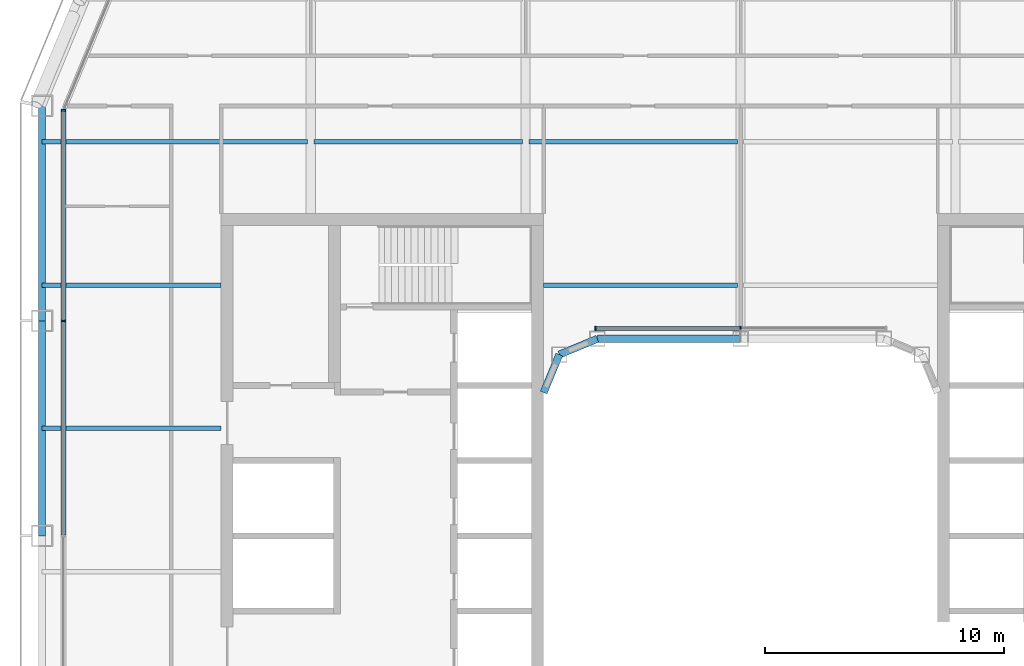
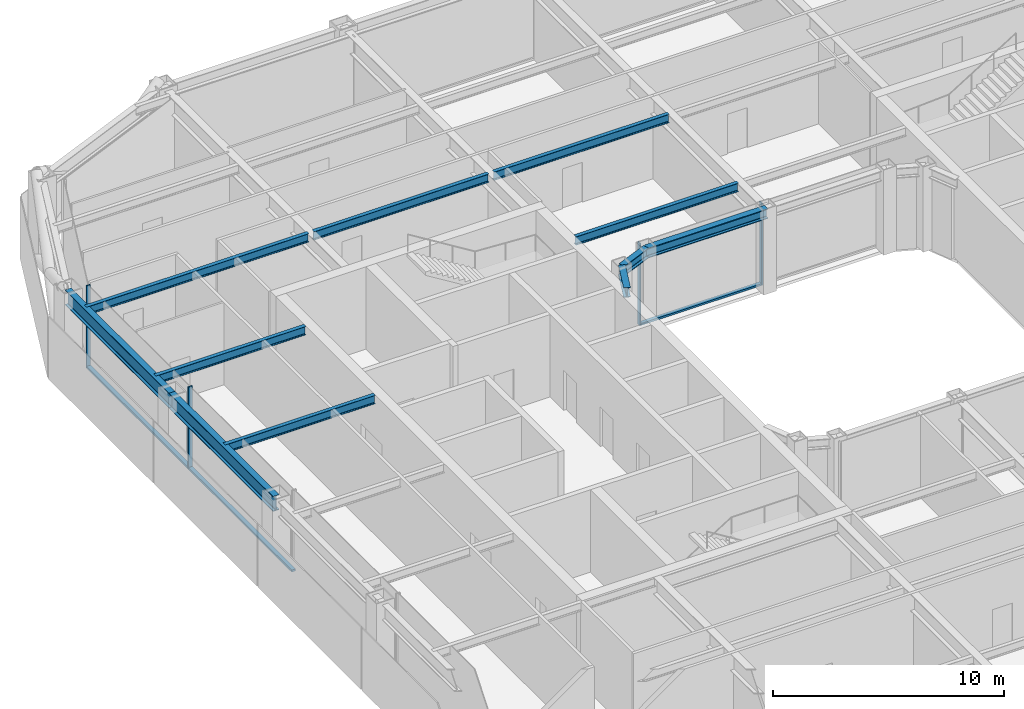
# One storey, part 6 of 23: 11 beams, 7 members, 2 elements without a shape of their own.
"""IFC4 building model written with IfcOpenShell, lengths in metres."""

from ifc_helpers import new_model, si_unit, direction, frame, origin, origin_2d, place, context, subcontext, project, spatial, rectangle, i_section, extrude, material, layer, layer_set, material_profile, profile_set, type_object, element, aggregate, save


model = new_model("IFC4")

# Units and contexts
model_context = context("Model", 3, precision=1e-05, world=origin(), true_north=direction((0.0, 1.0)))
body_context = subcontext(model_context, "Body", "Model", "MODEL_VIEW")
ifc_project = project(units=[si_unit("LENGTHUNIT", "METRE"), si_unit("AREAUNIT", "SQUARE_METRE"), si_unit("VOLUMEUNIT", "CUBIC_METRE"), si_unit("PLANEANGLEUNIT", "RADIAN"), si_unit("MASSUNIT", "GRAM", prefix="KILO")], contexts=[model_context])

# Site, building, storey
site_placement = place(None, origin())
site = spatial("IfcSite", under=ifc_project, at=site_placement, CompositionType="ELEMENT")
building_placement = place(site_placement, origin())
building = spatial("IfcBuilding", under=site, at=building_placement, Name="Siwar Civic Tower", CompositionType="ELEMENT")
storey_placement = place(building_placement, frame((0.0, 0.0, 163.199951171875)))
storey = spatial("IfcBuildingStorey", under=building, at=storey_placement, Name="L35", CompositionType="ELEMENT", Elevation=163.199951171875)

# Curtain wall, members
ifc_material_1 = material(Name="Aluminium and glass", Category="aluminium")
ifc_layer_1 = layer(ifc_material_1, 0.199951171875)
ifc_layer_set_1 = layer_set([ifc_layer_1], Name="Aluminium and glass")
curtain_wall_type_1 = type_object("IfcCurtainWallType", Name="ENV-CW-B", PredefinedType="NOTDEFINED", material=ifc_layer_set_1)
curtain_wall_1_placement = place(storey_placement, origin())
curtain_wall_1 = element("IfcCurtainWall", 1, at=curtain_wall_1_placement, inside=storey, type_object=curtain_wall_type_1, Name="Curtain wall B W", PredefinedType="NOTDEFINED")
ifc_material_2 = material(Name="Aluminium 6063-T6", Category="aluminium")
ifc_material_profile_1 = material_profile(ifc_material_2, rectangle(XDim=0.199951171875, YDim=0.06494140625, at=origin_2d()), Name="AL 200x65")
ifc_profile_set_1 = profile_set([ifc_material_profile_1], Name="Aluminium 6063-T6")
member_type_1 = type_object("IfcMemberType", Name="ENV-MULLION-B", PredefinedType="MULLION", material=ifc_profile_set_1)
member_1_placement = place(storey_placement, frame((-28.35009765625, 17.821044921875, 0.0), z_axis=(0.0, 0.0, 1.0), x_axis=(1.0, 0.0, 0.0)))
member_1 = element("IfcMember", 2, at=member_1_placement, type_object=member_type_1, Name="Mullion B W 1", PredefinedType="MULLION", context=body_context, shape_type="SweptSolid", body=[
    extrude(rectangle(XDim=0.199951171875, YDim=0.06494140625, at=origin_2d()), origin(), (0.0, 0.0, 1.0), 4.35009765625),
])
member_2_placement = place(storey_placement, frame((-28.35009765625, 9.0, 0.0), z_axis=(0.0, 0.0, 1.0), x_axis=(1.0, 0.0, 0.0)))
member_2 = element("IfcMember", 3, at=member_2_placement, type_object=member_type_1, Name="Mullion B W 2", PredefinedType="MULLION", context=body_context, shape_type="SweptSolid", body=[
    extrude(rectangle(XDim=0.199951171875, YDim=0.06494140625, at=origin_2d()), origin(), (0.0, 0.0, 1.0), 4.35009765625),
])

ifc_material_3 = material(Name="Aluminium and glass", Category="aluminium")
ifc_layer_2 = layer(ifc_material_3, 0.179931640625)
ifc_layer_set_2 = layer_set([ifc_layer_2], Name="Aluminium and glass")
curtain_wall_type_2 = type_object("IfcCurtainWallType", Name="ENV-CW-W", PredefinedType="NOTDEFINED", material=ifc_layer_set_2)
curtain_wall_2_placement = place(storey_placement, origin())
curtain_wall_2 = element("IfcCurtainWall", 4, at=curtain_wall_2_placement, inside=storey, type_object=curtain_wall_type_2, Name="Curtain wall W WN", PredefinedType="NOTDEFINED")
ifc_material_4 = material(Name="Aluminium 6063-T6", Category="aluminium")
ifc_material_profile_2 = material_profile(ifc_material_4, rectangle(XDim=0.179931640625, YDim=0.06005859375, at=origin_2d()), Name="AL 180x60")
ifc_profile_set_2 = profile_set([ifc_material_profile_2], Name="Aluminium 6063-T6")
member_type_2 = type_object("IfcMemberType", Name="ENV-MULLION-W", PredefinedType="MULLION", material=ifc_profile_set_2)
member_3_placement = place(storey_placement, frame((0.0, 8.68505859375, 0.0), z_axis=(0.0, 0.0, 1.0), x_axis=(0.0, -1.0, 0.0)))
member_3 = element("IfcMember", 5, at=member_3_placement, type_object=member_type_2, Name="Mullion W WN 2", PredefinedType="MULLION", context=body_context, shape_type="SweptSolid", body=[
    extrude(rectangle(XDim=0.179931640625, YDim=0.06005859375, at=origin_2d()), origin(), (0.0, 0.0, 1.0), 4.35009765625),
])
member_4_placement = place(storey_placement, frame((-6.08642578125, 8.68505859375, 0.0), z_axis=(0.0, 0.0, 1.0), x_axis=(0.0, -1.0, 0.0)))
member_4 = element("IfcMember", 6, at=member_4_placement, type_object=member_type_2, Name="Mullion W WN 3", PredefinedType="MULLION", context=body_context, shape_type="SweptSolid", body=[
    extrude(rectangle(XDim=0.179931640625, YDim=0.06005859375, at=origin_2d()), origin(), (0.0, 0.0, 1.0), 4.35009765625),
])

# Member
ifc_material_5 = material(Name="Aluminium 6063-T6", Category="aluminium")
ifc_material_profile_3 = material_profile(ifc_material_5, rectangle(XDim=0.199951171875, YDim=0.110107421875, at=origin_2d()), Name="AL 200x110")
ifc_profile_set_3 = profile_set([ifc_material_profile_3], Name="Aluminium 6063-T6")
member_type_3 = type_object("IfcMemberType", Name="ENV-TRANSOM-B", PredefinedType="USERDEFINED", material=ifc_profile_set_3)
member_5_placement = place(storey_placement, frame((-28.35009765625, 17.78857421875, 0.054931640625), z_axis=(0.0, -1.0, 0.0), x_axis=(1.0, 0.0, 0.0)))
member_5 = element("IfcMember", 7, at=member_5_placement, type_object=member_type_3, Name="Transom B W 1", ObjectType="TRANSOM", PredefinedType="USERDEFINED", context=body_context, shape_type="SweptSolid", body=[
    extrude(rectangle(XDim=0.199951171875, YDim=0.110107421875, at=origin_2d()), origin(), (0.0, 0.0, 1.0), 8.756103515625),
])

member_6_placement = place(storey_placement, frame((-28.35009765625, 8.967529296875, 0.054931640625), z_axis=(0.0, -1.0, 0.0), x_axis=(1.0, 0.0, 0.0)))
member_6 = element("IfcMember", 8, at=member_6_placement, type_object=member_type_3, Name="Transom B W 2", ObjectType="TRANSOM", PredefinedType="USERDEFINED", context=body_context, shape_type="SweptSolid", body=[
    extrude(rectangle(XDim=0.199951171875, YDim=0.110107421875, at=origin_2d()), origin(), (0.0, 0.0, 1.0), 8.93505859375),
])

aggregate(curtain_wall_1, [member_1, member_2, member_5, member_6])

ifc_material_6 = material(Name="Aluminium 6063-T6", Category="aluminium")
ifc_material_profile_4 = material_profile(ifc_material_6, rectangle(XDim=0.179931640625, YDim=0.10009765625, at=origin_2d()), Name="AL 180x100")
ifc_profile_set_4 = profile_set([ifc_material_profile_4], Name="Aluminium 6063-T6")
member_type_4 = type_object("IfcMemberType", Name="ENV-TRANSOM-W", PredefinedType="USERDEFINED", material=ifc_profile_set_4)
member_7_placement = place(storey_placement, frame((-0.030029296875, 8.68505859375, 0.050048828125), z_axis=(-1.0, 0.0, 0.0), x_axis=(0.0, -1.0, 0.0)))
member_7 = element("IfcMember", 9, at=member_7_placement, type_object=member_type_4, Name="Transom W WN 2", ObjectType="TRANSOM", PredefinedType="USERDEFINED", context=body_context, shape_type="SweptSolid", body=[
    extrude(rectangle(XDim=0.179931640625, YDim=0.10009765625, at=origin_2d()), origin(), (0.0, 0.0, 1.0), 6.026611328125),
])

aggregate(curtain_wall_2, [member_3, member_4, member_7])

# Beams
ifc_material_7 = material(Name="Steel S355", Category="steel")
ifc_material_profile_5 = material_profile(ifc_material_7, i_section(OverallWidth=0.18994140625, OverallDepth=0.449951171875, WebThickness=0.009521484375, FlangeThickness=0.0146484375, FilletRadius=0.02099609375, at=origin_2d()), Name="IPE450")
ifc_profile_set_5 = profile_set([ifc_material_profile_5], Name="Steel S355")
beam_type_1 = type_object("IfcBeamType", Name="STR-FB-IPE450", PredefinedType="JOIST", material=ifc_profile_set_5)
for number, where, z_axis, x_axis, name in (
    (10, (-29.25, 4.5, 4.125), (1.0, 0.0, 0.0), (0.0, 1.0, 0.0), "L35/bm/F025"),
    (11, (-29.25, 10.5, 4.125), (1.0, 0.0, 0.0), (0.0, 1.0, 0.0), "L35/bm/F027"),
):
    element("IfcBeam", number, at=place(storey_placement, frame(where, z_axis=z_axis, x_axis=x_axis)), inside=storey, type_object=beam_type_1, Name=name, PredefinedType="JOIST", context=body_context, shape_type="SweptSolid", body=[
        extrude(i_section(OverallWidth=0.18994140625, OverallDepth=0.449951171875, WebThickness=0.009521484375, FlangeThickness=0.0146484375, FilletRadius=0.02099609375, at=origin_2d()), origin(), (0.0, 0.0, 1.0), 7.5),
    ])
beam_1_placement = place(storey_placement, frame((-8.25, 10.5, 4.125), z_axis=(1.0, 0.0, 0.0), x_axis=(0.0, 1.0, 0.0)))
element("IfcBeam", 12, at=beam_1_placement, inside=storey, type_object=beam_type_1, Name="L35/bm/F028", PredefinedType="JOIST", context=body_context, shape_type="SweptSolid", body=[
    extrude(i_section(OverallWidth=0.18994140625, OverallDepth=0.449951171875, WebThickness=0.009521484375, FlangeThickness=0.0146484375, FilletRadius=0.02099609375, at=origin_2d()), origin(), (0.0, 0.0, 1.0), 8.1201171875),
])
beam_2_placement = place(storey_placement, frame((-29.25, 16.5, 4.125), z_axis=(1.0, 0.0, 0.0), x_axis=(0.0, 1.0, 0.0)))
element("IfcBeam", 13, at=beam_2_placement, inside=storey, type_object=beam_type_1, Name="L35/bm/F031", PredefinedType="JOIST", context=body_context, shape_type="SweptSolid", body=[
    extrude(i_section(OverallWidth=0.18994140625, OverallDepth=0.449951171875, WebThickness=0.009521484375, FlangeThickness=0.0146484375, FilletRadius=0.02099609375, at=origin_2d()), origin(), (0.0, 0.0, 1.0), 11.1201171875),
])
for number, where, z_axis, x_axis, name in (
    (14, (-17.8701171875, 16.5, 4.125), (1.0, 0.0, 0.0), (0.0, 1.0, 0.0), "L35/bm/F032"),
    (15, (-8.8701171875, 16.5, 4.125), (1.0, 0.0, 0.0), (0.0, 1.0, 0.0), "L35/bm/F033"),
):
    element("IfcBeam", number, at=place(storey_placement, frame(where, z_axis=z_axis, x_axis=x_axis)), inside=storey, type_object=beam_type_1, Name=name, PredefinedType="JOIST", context=body_context, shape_type="SweptSolid", body=[
        extrude(i_section(OverallWidth=0.18994140625, OverallDepth=0.449951171875, WebThickness=0.009521484375, FlangeThickness=0.0146484375, FilletRadius=0.02099609375, at=origin_2d()), origin(), (0.0, 0.0, 1.0), 8.740234375),
    ])
ifc_material_8 = material(Name="Steel S355", Category="steel")
ifc_material_profile_6 = material_profile(ifc_material_8, i_section(OverallWidth=0.305908203125, OverallDepth=0.52392578125, WebThickness=0.02099609375, FlangeThickness=0.0400390625, FilletRadius=0.027099609375, at=origin_2d()), Name="HEM500")
ifc_profile_set_6 = profile_set([ifc_material_profile_6], Name="Steel S355")
beam_type_2 = type_object("IfcBeamType", Name="STR-RB-HEM500", PredefinedType="BEAM", material=ifc_profile_set_6)
beam_3_placement = place(storey_placement, frame((-7.591064453125, 7.591064453125, 4.088134765625), z_axis=(0.923901072997, 0.382631424892, 0.0), x_axis=(-0.382631424892, 0.923901072997, 0.0)))
element("IfcBeam", 16, at=beam_3_placement, inside=storey, type_object=beam_type_2, Name="L35/bm/RN0", PredefinedType="BEAM", context=body_context, shape_type="SweptSolid", body=[
    extrude(i_section(OverallWidth=0.305908203125, OverallDepth=0.52392578125, WebThickness=0.02099609375, FlangeThickness=0.0400390625, FilletRadius=0.027099609375, at=origin_2d()), origin(), (0.0, 0.0, 1.0), 1.72216796875),
])
beam_4_placement = place(storey_placement, frame((-6.0, 8.25, 4.088134765625), z_axis=(1.0, 0.0, 0.0), x_axis=(0.0, 1.0, 0.0)))
element("IfcBeam", 17, at=beam_4_placement, inside=storey, type_object=beam_type_2, Name="L35/bm/RN1", PredefinedType="BEAM", context=body_context, shape_type="SweptSolid", body=[
    extrude(i_section(OverallWidth=0.305908203125, OverallDepth=0.52392578125, WebThickness=0.02099609375, FlangeThickness=0.0400390625, FilletRadius=0.027099609375, at=origin_2d()), origin(), (0.0, 0.0, 1.0), 6.0),
])
beam_5_placement = place(storey_placement, frame((-7.591064453125, 7.591064453125, 4.088134765625), z_axis=(-0.382631424892, -0.923901072997, 0.0), x_axis=(0.923901072997, -0.382631424892, 0.0)))
element("IfcBeam", 18, at=beam_5_placement, inside=storey, type_object=beam_type_2, Name="L35/bm/RNEW", PredefinedType="BEAM", context=body_context, shape_type="SweptSolid", body=[
    extrude(i_section(OverallWidth=0.305908203125, OverallDepth=0.52392578125, WebThickness=0.02099609375, FlangeThickness=0.0400390625, FilletRadius=0.027099609375, at=origin_2d()), origin(), (0.0, 0.0, 1.0), 1.72216796875),
])
ifc_material_9 = material(Name="Steel S355", Category="steel")
ifc_material_profile_7 = material_profile(ifc_material_9, i_section(OverallWidth=0.300048828125, OverallDepth=0.800048828125, WebThickness=0.017578125, FlangeThickness=0.032958984375, FilletRadius=0.030029296875, at=origin_2d()), Name="HEB800")
ifc_profile_set_7 = profile_set([ifc_material_profile_7], Name="Steel S355")
beam_type_3 = type_object("IfcBeamType", Name="STR-SB-HEB800", PredefinedType="BEAM", material=ifc_profile_set_7)
for number, where, z_axis, x_axis, name in (
    (19, (-29.25, 18.0, 3.949951171875), (0.0, -1.0, 0.0), (1.0, 0.0, 0.0), "L35/bm/SW-0"),
    (20, (-29.25, 9.0, 3.949951171875), (0.0, -1.0, 0.0), (1.0, 0.0, 0.0), "L35/bm/SW-1"),
):
    element("IfcBeam", number, at=place(storey_placement, frame(where, z_axis=z_axis, x_axis=x_axis)), inside=storey, type_object=beam_type_3, Name=name, PredefinedType="BEAM", context=body_context, shape_type="SweptSolid", body=[
        extrude(i_section(OverallWidth=0.300048828125, OverallDepth=0.800048828125, WebThickness=0.017578125, FlangeThickness=0.032958984375, FilletRadius=0.030029296875, at=origin_2d()), origin(), (0.0, 0.0, 1.0), 9.0),
    ])

save(model, "model.ifc")
